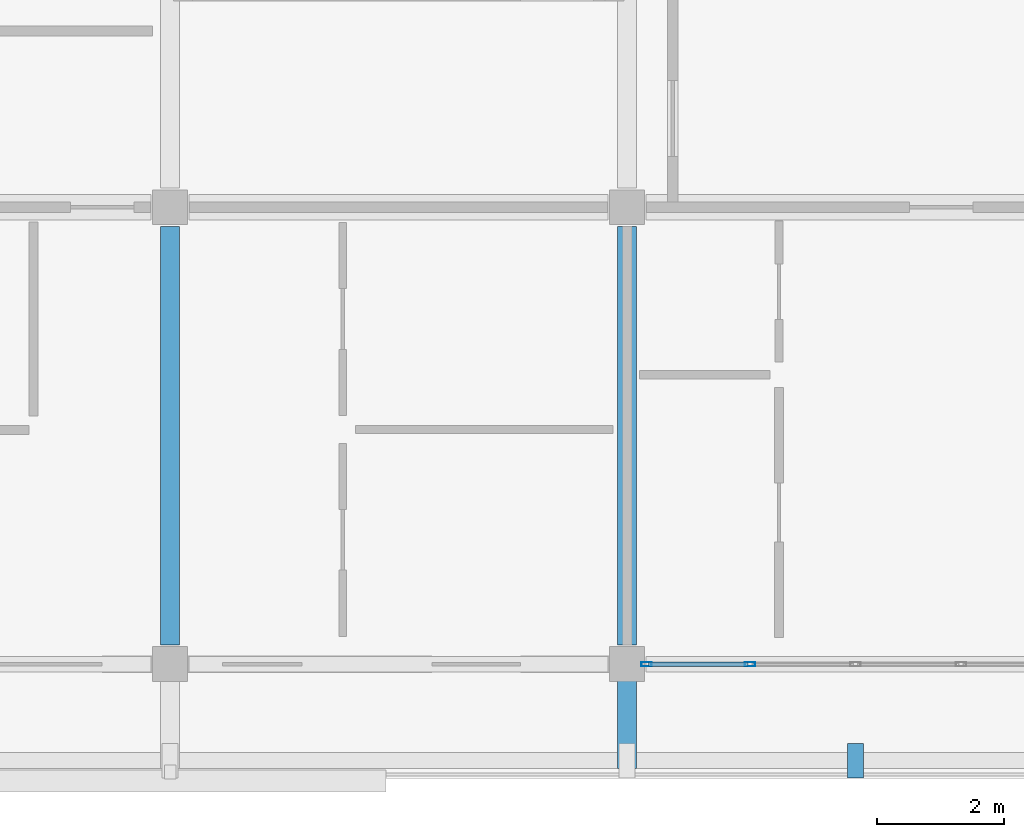
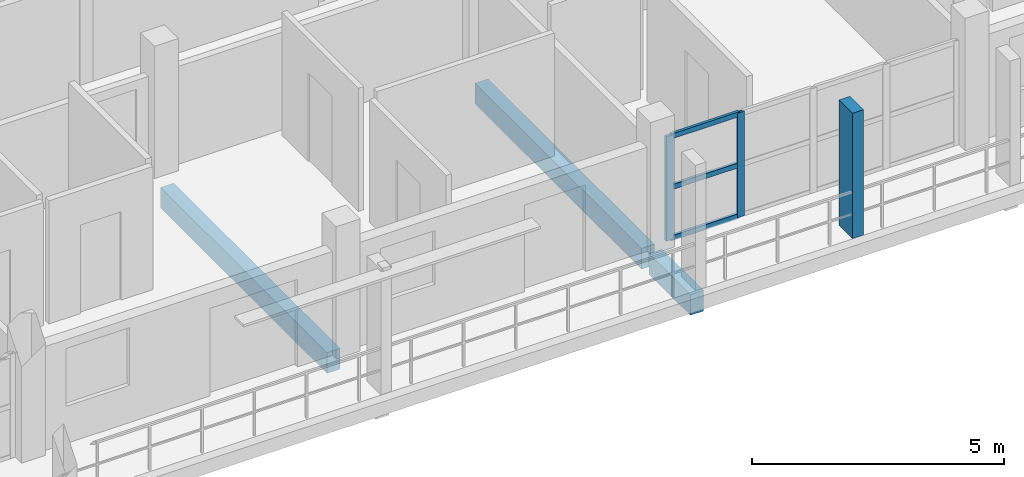
# One storey, part 21 of 73: 6 members, 3 beams, 1 element without a shape of its own.
"""IFC4 building model written with IfcOpenShell, lengths in metres."""

from ifc_helpers import new_model, si_unit, direction, frame, origin, origin_2d, place, context, subcontext, project, spatial, rectangle, hollow_rectangle, extrude, material, material_profile, profile_set, type_object, element, aggregate, save


model = new_model("IFC4")

# Units and contexts
model_context = context("Model", 3, precision=1e-05, world=origin(), true_north=direction((0.0, 1.0)))
body_context = subcontext(model_context, "Body", "Model", "MODEL_VIEW")
ifc_project = project(units=[si_unit("LENGTHUNIT", "METRE"), si_unit("AREAUNIT", "SQUARE_METRE"), si_unit("VOLUMEUNIT", "CUBIC_METRE"), si_unit("PLANEANGLEUNIT", "RADIAN"), si_unit("MASSUNIT", "GRAM", prefix="KILO")], contexts=[model_context])

# Site, building, storey
site_placement = place(None, origin())
site = spatial("IfcSite", under=ifc_project, at=site_placement, CompositionType="ELEMENT")
building_placement = place(site_placement, origin())
building = spatial("IfcBuilding", under=site, at=building_placement, Name="Suanplinth Sawtooth Commons", CompositionType="ELEMENT")
storey_placement = place(building_placement, frame((0.0, 0.0, 21.89990234375)))
storey = spatial("IfcBuildingStorey", under=building, at=storey_placement, Name="L06", CompositionType="ELEMENT", Elevation=21.89990234375)

# Beams
ifc_material_1 = material(Name="Precast concrete C40/50", Category="concrete")
ifc_material_profile_1 = material_profile(ifc_material_1, rectangle(XDim=0.300048828125, YDim=0.5, at=origin_2d()), Name="PC-BM 300x500")
ifc_profile_set_1 = profile_set([ifc_material_profile_1], Name="Precast concrete C40/50")
beam_type = type_object("IfcBeamType", Name="B-07", PredefinedType="BEAM", material=ifc_profile_set_1)
for number, where, z_axis, x_axis, name in (
    (1, (158.39990234375, 0.300048828125, -0.489990234375), (0.0, 1.0, 0.0), (-1.0, 0.0, 0.0), "BMY-L06-C-22-0"),
    (2, (165.60009765625, 0.300048828125, -0.489990234375), (0.0, 1.0, 0.0), (-1.0, 0.0, 0.0), "BMY-L06-C-23-0"),
):
    element("IfcBeam", number, at=place(storey_placement, frame(where, z_axis=z_axis, x_axis=x_axis)), inside=storey, type_object=beam_type, Name=name, PredefinedType="BEAM", context=body_context, shape_type="SweptSolid", body=[
        extrude(rectangle(XDim=0.300048828125, YDim=0.5, at=origin_2d()), origin(), (0.0, 0.0, 1.0), 6.599853515625),
    ])
beam_placement = place(storey_placement, frame((165.60009765625, 0.0, -0.429931640625), z_axis=(0.0, -1.0, 0.0), x_axis=(1.0, 0.0, 0.0)))
element("IfcBeam", 3, at=beam_placement, inside=storey, type_object=beam_type, Name="Balcony Outrigger L06-C-S-23", PredefinedType="BEAM", context=body_context, shape_type="SweptSolid", body=[
    extrude(rectangle(XDim=0.300048828125, YDim=0.5, at=origin_2d()), origin(), (0.0, 0.0, 1.0), 1.639892578125),
])

# Member
ifc_material_2 = material(Name="Pigmented precast concrete C40/50", Category="concrete")
ifc_material_profile_2 = material_profile(ifc_material_2, rectangle(XDim=0.25, YDim=0.5400390625, at=origin_2d()), Name="PC-FIN 250x540")
ifc_profile_set_2 = profile_set([ifc_material_profile_2], Name="Pigmented precast concrete C40/50")
member_type_1 = type_object("IfcMemberType", Name="M-11", PredefinedType="USERDEFINED", material=ifc_profile_set_2)
member_1_placement = place(storey_placement, frame((169.199951171875, -1.52001953125, 0.0), z_axis=(0.0, 0.0, 1.0), x_axis=(1.0, 0.0, 0.0)))
element("IfcMember", 4, at=member_1_placement, inside=storey, type_object=member_type_1, Name="Upright Solar Blade L06-C-S-07", ObjectType="SHADING FIN", PredefinedType="USERDEFINED", context=body_context, shape_type="SweptSolid", body=[
    extrude(rectangle(XDim=0.25, YDim=0.5400390625, at=origin_2d()), origin(), (0.0, 0.0, 1.0), 3.030029296875),
])

# Curtain wall, members
ifc_material_3 = material(Name="Anodized aluminium and low-E glazing", Category="aluminium")
curtain_wall_type = type_object("IfcCurtainWallType", Name="CW-06", PredefinedType="USERDEFINED", material=ifc_material_3)
curtain_wall_placement = place(storey_placement, origin())
curtain_wall = element("IfcCurtainWall", 5, at=curtain_wall_placement, inside=storey, type_object=curtain_wall_type, Name="Curtain Wall CW-L06-C-LOUNGE-23", ObjectType="CURTAIN WALL", PredefinedType="USERDEFINED")
ifc_material_4 = material(Name="Anodized aluminium 6063-T6", Category="aluminium")
ifc_material_profile_3 = material_profile(ifc_material_4, hollow_rectangle(XDim=0.06494140625, YDim=0.159912109375, WallThickness=0.00390625, at=origin_2d()), Name="ALU-MUL 65x160")
ifc_profile_set_3 = profile_set([ifc_material_profile_3], Name="Anodized aluminium 6063-T6")
member_type_2 = type_object("IfcMemberType", Name="M-13", PredefinedType="MULLION", material=ifc_profile_set_3)
member_2_placement = place(storey_placement, frame((165.907470703125, 0.0, 0.0), z_axis=(0.0, 0.0, 1.0), x_axis=(0.0, 1.0, 0.0)))
member_2 = element("IfcMember", 6, at=member_2_placement, type_object=member_type_2, Name="CW-06 mullion 1", PredefinedType="MULLION", context=body_context, shape_type="SweptSolid", body=[
    extrude(hollow_rectangle(XDim=0.06494140625, YDim=0.159912109375, WallThickness=0.00390625, at=origin_2d()), origin(), (0.0, 0.0, 1.0), 2.530029296875),
])
member_3_placement = place(storey_placement, frame((167.53759765625, 0.0, 0.0), z_axis=(0.0, 0.0, 1.0), x_axis=(0.0, 1.0, 0.0)))
member_3 = element("IfcMember", 7, at=member_3_placement, type_object=member_type_2, Name="CW-06 mullion 2", PredefinedType="MULLION", context=body_context, shape_type="SweptSolid", body=[
    extrude(hollow_rectangle(XDim=0.06494140625, YDim=0.159912109375, WallThickness=0.00390625, at=origin_2d()), origin(), (0.0, 0.0, 1.0), 2.530029296875),
])
ifc_material_profile_4 = material_profile(ifc_material_4, hollow_rectangle(XDim=0.06494140625, YDim=0.1201171875, WallThickness=0.00390625, at=origin_2d()), Name="ALU-TRN 65x120")
ifc_profile_set_4 = profile_set([ifc_material_profile_4], Name="Anodized aluminium 6063-T6")
member_type_3 = type_object("IfcMemberType", Name="M-15", PredefinedType="USERDEFINED", material=ifc_profile_set_4)
member_4_placement = place(storey_placement, frame((165.93994140625, 0.0, 0.03271484375), z_axis=(1.0, 0.0, 0.0), x_axis=(0.0, 1.0, 0.0)))
member_4 = element("IfcMember", 8, at=member_4_placement, type_object=member_type_3, Name="CW-06 transom 1.1", ObjectType="TRANSOM", PredefinedType="USERDEFINED", context=body_context, shape_type="SweptSolid", body=[
    extrude(hollow_rectangle(XDim=0.06494140625, YDim=0.1201171875, WallThickness=0.00390625, at=origin_2d()), origin(), (0.0, 0.0, 1.0), 1.56494140625),
])
member_5_placement = place(storey_placement, frame((165.93994140625, 0.0, 1.26513671875), z_axis=(1.0, 0.0, 0.0), x_axis=(0.0, 1.0, 0.0)))
member_5 = element("IfcMember", 9, at=member_5_placement, type_object=member_type_3, Name="CW-06 transom 1.2", ObjectType="TRANSOM", PredefinedType="USERDEFINED", context=body_context, shape_type="SweptSolid", body=[
    extrude(hollow_rectangle(XDim=0.06494140625, YDim=0.1201171875, WallThickness=0.00390625, at=origin_2d()), origin(), (0.0, 0.0, 1.0), 1.56494140625),
])
member_6_placement = place(storey_placement, frame((165.93994140625, 0.0, 2.49755859375), z_axis=(1.0, 0.0, 0.0), x_axis=(0.0, 1.0, 0.0)))
member_6 = element("IfcMember", 10, at=member_6_placement, type_object=member_type_3, Name="CW-06 transom 1.3", ObjectType="TRANSOM", PredefinedType="USERDEFINED", context=body_context, shape_type="SweptSolid", body=[
    extrude(hollow_rectangle(XDim=0.06494140625, YDim=0.1201171875, WallThickness=0.00390625, at=origin_2d()), origin(), (0.0, 0.0, 1.0), 1.56494140625),
])
aggregate(curtain_wall, [member_2, member_3, member_4, member_5, member_6])

save(model, "model.ifc")
